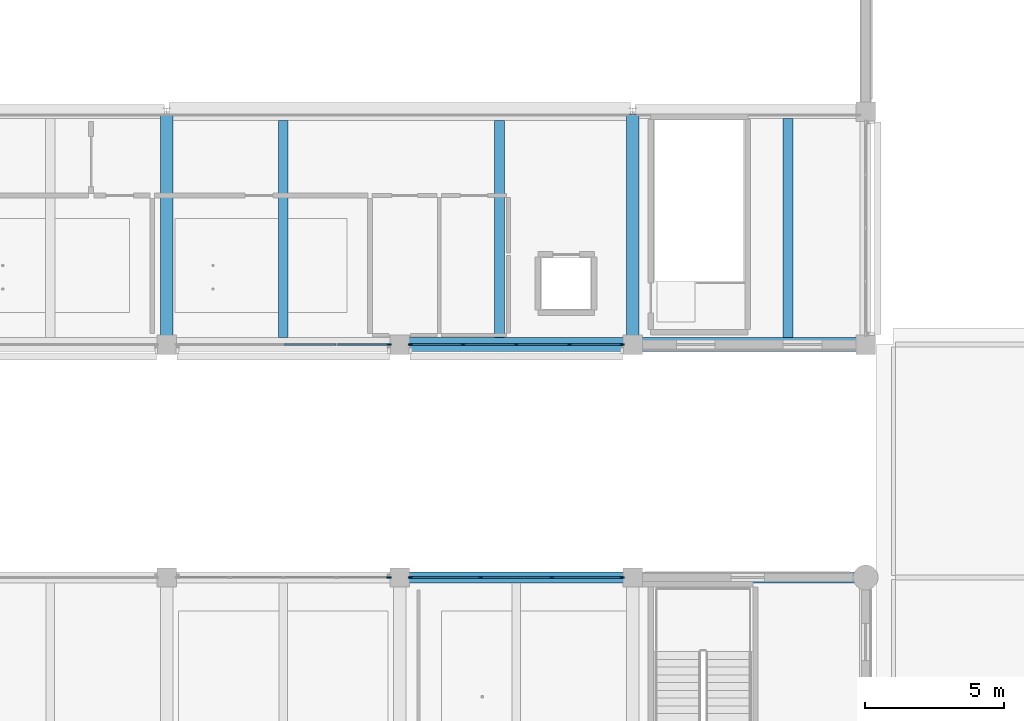
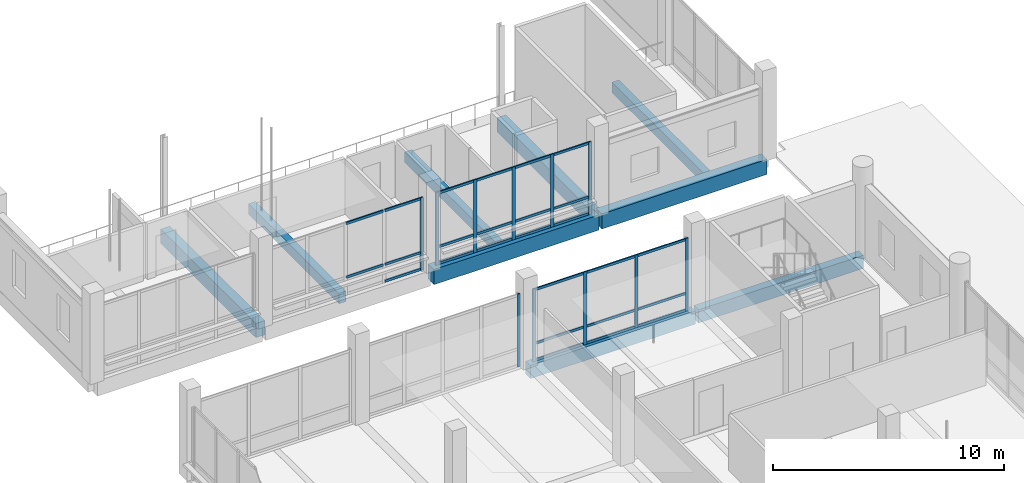
# One storey, part 30 of 128: 37 members, 9 beams, 4 elements without a shape of their own.
"""IFC4 building model written with IfcOpenShell, lengths in metres."""

from ifc_helpers import new_model, si_unit, direction, frame, origin, origin_2d, place, context, subcontext, project, spatial, rectangle, extrude, material, layer, layer_set, material_profile, profile_set, type_object, element, aggregate, save


model = new_model("IFC4")

# Units and contexts
model_context = context("Model", 3, precision=1e-05, world=origin(), true_north=direction((0.0, 1.0)))
body_context = subcontext(model_context, "Body", "Model", "MODEL_VIEW")
ifc_project = project(units=[si_unit("LENGTHUNIT", "METRE"), si_unit("AREAUNIT", "SQUARE_METRE"), si_unit("VOLUMEUNIT", "CUBIC_METRE"), si_unit("PLANEANGLEUNIT", "RADIAN"), si_unit("MASSUNIT", "GRAM", prefix="KILO")], contexts=[model_context])

# Site, building, storey
site_placement = place(None, origin())
site = spatial("IfcSite", under=ifc_project, at=site_placement, CompositionType="ELEMENT")
building_placement = place(site_placement, origin())
building = spatial("IfcBuilding", under=site, at=building_placement, Name="Telukmera Botanical Conservatory", CompositionType="ELEMENT")
storey_placement = place(building_placement, frame((0.0, 0.0, 5.39990234375)))
storey = spatial("IfcBuildingStorey", under=building, at=storey_placement, Name="L01", CompositionType="ELEMENT", Elevation=5.39990234375)

# Beams
ifc_material_1 = material(Name="Concrete C40/50", Category="concrete")
ifc_material_profile_1 = material_profile(ifc_material_1, rectangle(XDim=0.35009765625, YDim=0.550048828125, at=origin_2d()), Name="RC 350x550")
ifc_profile_set_1 = profile_set([ifc_material_profile_1], Name="Concrete C40/50")
beam_type_1 = type_object("IfcBeamType", Name="Beam_B21", PredefinedType="JOIST", material=ifc_profile_set_1)
for number, where, z_axis, x_axis, name in (
    (1, (21.0, 83.449951171875, -0.27490234375), (0.0, 1.0, 0.0), (-1.0, 0.0, 0.0), "Auditorium Balcony Joist 2"),
    (2, (28.800048828125, 83.449951171875, -0.27490234375), (0.0, 1.0, 0.0), (-1.0, 0.0, 0.0), "Auditorium Balcony Joist 3"),
):
    element("IfcBeam", number, at=place(storey_placement, frame(where, z_axis=z_axis, x_axis=x_axis)), inside=storey, type_object=beam_type_1, Name=name, PredefinedType="JOIST", context=body_context, shape_type="SweptSolid", body=[
        extrude(rectangle(XDim=0.35009765625, YDim=0.550048828125, at=origin_2d()), origin(), (0.0, 0.0, 1.0), 7.824951171875),
    ])
beam_placement = place(storey_placement, frame((39.199951171875, 83.449951171875, -0.27490234375), z_axis=(0.0, 1.0, 0.0), x_axis=(-1.0, 0.0, 0.0)))
element("IfcBeam", 3, at=beam_placement, inside=storey, type_object=beam_type_1, Name="Auditorium Balcony Joist 4", PredefinedType="JOIST", context=body_context, shape_type="SweptSolid", body=[
    extrude(rectangle(XDim=0.35009765625, YDim=0.550048828125, at=origin_2d()), origin(), (0.0, 0.0, 1.0), 7.900146484375),
])
ifc_material_profile_2 = material_profile(ifc_material_1, rectangle(XDim=0.5, YDim=0.800048828125, at=origin_2d()), Name="RC 500x800")
ifc_profile_set_2 = profile_set([ifc_material_profile_2], Name="Concrete C40/50")
beam_type_2 = type_object("IfcBeamType", Name="Beam_B5", PredefinedType="BEAM", material=ifc_profile_set_2)
for number, where, z_axis, x_axis, name in (
    (4, (25.280029296875, 83.199951171875, -0.39990234375), (1.0, 0.0, 0.0), (0.0, 1.0, 0.0), "Auditorium Frame Beam beam:V2:L01:foy_s:252"),
    (5, (33.679931640625, 83.199951171875, -0.39990234375), (1.0, 0.0, 0.0), (0.0, 1.0, 0.0), "Auditorium Frame Beam beam:V2:L01:foy_s:336"),
):
    element("IfcBeam", number, at=place(storey_placement, frame(where, z_axis=z_axis, x_axis=x_axis)), inside=storey, type_object=beam_type_2, Name=name, PredefinedType="BEAM", context=body_context, shape_type="SweptSolid", body=[
        extrude(rectangle(XDim=0.5, YDim=0.800048828125, at=origin_2d()), origin(), (0.0, 0.0, 1.0), 8.239990234375),
    ])
ifc_material_profile_3 = material_profile(ifc_material_1, rectangle(XDim=0.449951171875, YDim=0.75, at=origin_2d()), Name="RC 450x750")
ifc_profile_set_3 = profile_set([ifc_material_profile_3], Name="Concrete C40/50")
beam_type_3 = type_object("IfcBeamType", Name="Beam_B6", PredefinedType="BEAM", material=ifc_profile_set_3)
for number, where, z_axis, x_axis, name in (
    (6, (16.800048828125, 83.280029296875, -0.375), (0.0, 1.0, 0.0), (-1.0, 0.0, 0.0), "Auditorium Frame Beam beam:V2:L01:foy_y:168"),
    (7, (33.60009765625, 83.280029296875, -0.375), (0.0, 1.0, 0.0), (-1.0, 0.0, 0.0), "Auditorium Frame Beam beam:V2:L01:foy_y:336"),
):
    element("IfcBeam", number, at=place(storey_placement, frame(where, z_axis=z_axis, x_axis=x_axis)), inside=storey, type_object=beam_type_3, Name=name, PredefinedType="BEAM", context=body_context, shape_type="SweptSolid", body=[
        extrude(rectangle(XDim=0.449951171875, YDim=0.75, at=origin_2d()), origin(), (0.0, 0.0, 1.0), 8.239990234375),
    ])
ifc_material_profile_4 = material_profile(ifc_material_1, rectangle(XDim=0.39990234375, YDim=0.699951171875, at=origin_2d()), Name="RC 400x700")
ifc_profile_set_4 = profile_set([ifc_material_profile_4], Name="Concrete C40/50")
beam_type_4 = type_object("IfcBeamType", Name="Beam_B7", PredefinedType="BEAM", material=ifc_profile_set_4)
for number, where, z_axis, x_axis, name in (
    (8, (25.280029296875, 74.800048828125, -0.349853515625), (1.0, 0.0, 0.0), (0.0, 1.0, 0.0), "Visitor Wing Grid Beam L01"),
    (9, (33.679931640625, 74.800048828125, -0.349853515625), (1.0, 0.0, 0.0), (0.0, 1.0, 0.0), "Visitor Wing Grid Beam L01"),
):
    element("IfcBeam", number, at=place(storey_placement, frame(where, z_axis=z_axis, x_axis=x_axis)), inside=storey, type_object=beam_type_4, Name=name, PredefinedType="BEAM", context=body_context, shape_type="SweptSolid", body=[
        extrude(rectangle(XDim=0.39990234375, YDim=0.699951171875, at=origin_2d()), origin(), (0.0, 0.0, 1.0), 8.239990234375),
    ])

# Curtain wall, member
ifc_material_2 = material(Name="Anodised aluminium 6063-T6", Category="aluminium")
ifc_layer_1 = layer(ifc_material_2, 0.179931640625)
ifc_layer_set_1 = layer_set([ifc_layer_1], Name="Anodised aluminium 6063-T6")
curtain_wall_type_1 = type_object("IfcCurtainWallType", Name="Auditorium Upper Foyer Acoustic Curtain Wall", PredefinedType="USERDEFINED", material=ifc_layer_set_1)
curtain_wall_1_placement = place(storey_placement, origin())
curtain_wall_1 = element("IfcCurtainWall", 10, at=curtain_wall_1_placement, inside=storey, type_object=curtain_wall_type_1, Name="Unitised Curtain Wall CW05 V2:L01:S2", ObjectType="UNITISED CURTAIN WALL", PredefinedType="USERDEFINED")
ifc_material_profile_5 = material_profile(ifc_material_2, rectangle(XDim=0.06494140625, YDim=0.159912109375, at=origin_2d()), Name="ALU MULL 65x160")
ifc_profile_set_5 = profile_set([ifc_material_profile_5], Name="Anodised aluminium 6063-T6")
member_type_1 = type_object("IfcMemberType", Name="Curtain Wall Extruded Mullion 65x160", PredefinedType="MULLION", material=ifc_profile_set_5)
member_1_placement = place(storey_placement, frame((24.8154296875, 83.199951171875, 0.0), z_axis=(0.0, 0.0, 1.0), x_axis=(0.0, 1.0, 0.0)))
member_1 = element("IfcMember", 11, at=member_1_placement, type_object=member_type_1, Name="CW05 mullion 5", PredefinedType="MULLION", context=body_context, shape_type="SweptSolid", body=[
    extrude(rectangle(XDim=0.06494140625, YDim=0.159912109375, at=origin_2d()), origin(), (0.0, 0.0, 1.0), 3.85009765625),
])

# Curtain wall, members
curtain_wall_2_placement = place(storey_placement, origin())
curtain_wall_2 = element("IfcCurtainWall", 12, at=curtain_wall_2_placement, inside=storey, type_object=curtain_wall_type_1, Name="Unitised Curtain Wall CW05 V2:L01:S3", ObjectType="UNITISED CURTAIN WALL", PredefinedType="USERDEFINED")
member_2_placement = place(storey_placement, frame((25.58447265625, 83.199951171875, 0.0), z_axis=(0.0, 0.0, 1.0), x_axis=(0.0, 1.0, 0.0)))
member_2 = element("IfcMember", 13, at=member_2_placement, type_object=member_type_1, Name="CW05 mullion 1", PredefinedType="MULLION", context=body_context, shape_type="SweptSolid", body=[
    extrude(rectangle(XDim=0.06494140625, YDim=0.159912109375, at=origin_2d()), origin(), (0.0, 0.0, 1.0), 3.85009765625),
])
member_3_placement = place(storey_placement, frame((27.47607421875, 83.199951171875, 0.0), z_axis=(0.0, 0.0, 1.0), x_axis=(0.0, 1.0, 0.0)))
member_3 = element("IfcMember", 14, at=member_3_placement, type_object=member_type_1, Name="CW05 mullion 2", PredefinedType="MULLION", context=body_context, shape_type="SweptSolid", body=[
    extrude(rectangle(XDim=0.06494140625, YDim=0.159912109375, at=origin_2d()), origin(), (0.0, 0.0, 1.0), 3.85009765625),
])
member_4_placement = place(storey_placement, frame((29.39990234375, 83.199951171875, 0.0), z_axis=(0.0, 0.0, 1.0), x_axis=(0.0, 1.0, 0.0)))
member_4 = element("IfcMember", 15, at=member_4_placement, type_object=member_type_1, Name="CW05 mullion 3", PredefinedType="MULLION", context=body_context, shape_type="SweptSolid", body=[
    extrude(rectangle(XDim=0.06494140625, YDim=0.159912109375, at=origin_2d()), origin(), (0.0, 0.0, 1.0), 3.85009765625),
])
member_5_placement = place(storey_placement, frame((31.323974609375, 83.199951171875, 0.0), z_axis=(0.0, 0.0, 1.0), x_axis=(0.0, 1.0, 0.0)))
member_5 = element("IfcMember", 16, at=member_5_placement, type_object=member_type_1, Name="CW05 mullion 4", PredefinedType="MULLION", context=body_context, shape_type="SweptSolid", body=[
    extrude(rectangle(XDim=0.06494140625, YDim=0.159912109375, at=origin_2d()), origin(), (0.0, 0.0, 1.0), 3.85009765625),
])
member_6_placement = place(storey_placement, frame((33.215576171875, 83.199951171875, 0.0), z_axis=(0.0, 0.0, 1.0), x_axis=(0.0, 1.0, 0.0)))
member_6 = element("IfcMember", 17, at=member_6_placement, type_object=member_type_1, Name="CW05 mullion 5", PredefinedType="MULLION", context=body_context, shape_type="SweptSolid", body=[
    extrude(rectangle(XDim=0.06494140625, YDim=0.159912109375, at=origin_2d()), origin(), (0.0, 0.0, 1.0), 3.85009765625),
])

# Curtain wall, member
ifc_layer_2 = layer(ifc_material_2, 0.179931640625)
ifc_layer_set_2 = layer_set([ifc_layer_2], Name="Anodised aluminium 6063-T6")
curtain_wall_type_2 = type_object("IfcCurtainWallType", Name="Visitor Gallery First Floor Curtain Wall 1800 Mod", PredefinedType="USERDEFINED", material=ifc_layer_set_2)
curtain_wall_3_placement = place(storey_placement, origin())
curtain_wall_3 = element("IfcCurtainWall", 18, at=curtain_wall_3_placement, inside=storey, type_object=curtain_wall_type_2, Name="Unitised Curtain Wall CW08 V3:L01:N2", ObjectType="UNITISED CURTAIN WALL", PredefinedType="USERDEFINED")
member_7_placement = place(storey_placement, frame((24.8154296875, 74.800048828125, 0.0), z_axis=(0.0, 0.0, 1.0), x_axis=(0.0, 1.0, 0.0)))
member_7 = element("IfcMember", 19, at=member_7_placement, type_object=member_type_1, Name="CW08 mullion 5", PredefinedType="MULLION", context=body_context, shape_type="SweptSolid", body=[
    extrude(rectangle(XDim=0.06494140625, YDim=0.159912109375, at=origin_2d()), origin(), (0.0, 0.0, 1.0), 3.85009765625),
])
aggregate(curtain_wall_3, [member_7])

# Curtain wall, members
ifc_layer_3 = layer(ifc_material_2, 0.179931640625)
ifc_layer_set_3 = layer_set([ifc_layer_3], Name="Anodised aluminium 6063-T6")
curtain_wall_type_3 = type_object("IfcCurtainWallType", Name="Visitor Gallery Second Floor Curtain Wall 2400 Mod", PredefinedType="USERDEFINED", material=ifc_layer_set_3)
curtain_wall_4_placement = place(storey_placement, origin())
curtain_wall_4 = element("IfcCurtainWall", 20, at=curtain_wall_4_placement, inside=storey, type_object=curtain_wall_type_3, Name="Unitised Curtain Wall CW09 V3:L01:N3", ObjectType="UNITISED CURTAIN WALL", PredefinedType="USERDEFINED")
member_8_placement = place(storey_placement, frame((25.58447265625, 74.800048828125, 0.0), z_axis=(0.0, 0.0, 1.0), x_axis=(0.0, 1.0, 0.0)))
member_8 = element("IfcMember", 21, at=member_8_placement, type_object=member_type_1, Name="CW09 mullion 1", PredefinedType="MULLION", context=body_context, shape_type="SweptSolid", body=[
    extrude(rectangle(XDim=0.06494140625, YDim=0.159912109375, at=origin_2d()), origin(), (0.0, 0.0, 1.0), 3.85009765625),
])
member_9_placement = place(storey_placement, frame((28.117431640625, 74.800048828125, 0.0), z_axis=(0.0, 0.0, 1.0), x_axis=(0.0, 1.0, 0.0)))
member_9 = element("IfcMember", 22, at=member_9_placement, type_object=member_type_1, Name="CW09 mullion 2", PredefinedType="MULLION", context=body_context, shape_type="SweptSolid", body=[
    extrude(rectangle(XDim=0.06494140625, YDim=0.159912109375, at=origin_2d()), origin(), (0.0, 0.0, 1.0), 3.85009765625),
])
member_10_placement = place(storey_placement, frame((30.6826171875, 74.800048828125, 0.0), z_axis=(0.0, 0.0, 1.0), x_axis=(0.0, 1.0, 0.0)))
member_10 = element("IfcMember", 23, at=member_10_placement, type_object=member_type_1, Name="CW09 mullion 3", PredefinedType="MULLION", context=body_context, shape_type="SweptSolid", body=[
    extrude(rectangle(XDim=0.06494140625, YDim=0.159912109375, at=origin_2d()), origin(), (0.0, 0.0, 1.0), 3.85009765625),
])
member_11_placement = place(storey_placement, frame((33.215576171875, 74.800048828125, 0.0), z_axis=(0.0, 0.0, 1.0), x_axis=(0.0, 1.0, 0.0)))
member_11 = element("IfcMember", 24, at=member_11_placement, type_object=member_type_1, Name="CW09 mullion 4", PredefinedType="MULLION", context=body_context, shape_type="SweptSolid", body=[
    extrude(rectangle(XDim=0.06494140625, YDim=0.159912109375, at=origin_2d()), origin(), (0.0, 0.0, 1.0), 3.85009765625),
])

# Member
ifc_material_profile_6 = material_profile(ifc_material_2, rectangle(XDim=0.06494140625, YDim=0.1298828125, at=origin_2d()), Name="ALU TRAN 65x130")
ifc_profile_set_6 = profile_set([ifc_material_profile_6], Name="Anodised aluminium 6063-T6")
member_type_2 = type_object("IfcMemberType", Name="Curtain Wall Extruded Transom 65x130", PredefinedType="USERDEFINED", material=ifc_profile_set_6)
member_12_placement = place(storey_placement, frame((21.032470703125, 83.199951171875, 0.9501953125), z_axis=(1.0, 0.0, 0.0), x_axis=(0.0, 1.0, 0.0)))
member_12 = element("IfcMember", 25, at=member_12_placement, type_object=member_type_2, Name="CW05 transom 3.2", ObjectType="TRANSOM", PredefinedType="USERDEFINED", context=body_context, shape_type="SweptSolid", body=[
    extrude(rectangle(XDim=0.06494140625, YDim=0.1298828125, at=origin_2d()), origin(), (0.0, 0.0, 1.0), 1.859130859375),
])

member_13_placement = place(storey_placement, frame((21.032470703125, 83.199951171875, 3.78515625), z_axis=(1.0, 0.0, 0.0), x_axis=(0.0, 1.0, 0.0)))
member_13 = element("IfcMember", 26, at=member_13_placement, type_object=member_type_2, Name="CW05 transom 3.3", ObjectType="TRANSOM", PredefinedType="USERDEFINED", context=body_context, shape_type="SweptSolid", body=[
    extrude(rectangle(XDim=0.06494140625, YDim=0.1298828125, at=origin_2d()), origin(), (0.0, 0.0, 1.0), 1.859130859375),
])

member_14_placement = place(storey_placement, frame((22.95654296875, 83.199951171875, 0.065185546875), z_axis=(1.0, 0.0, 0.0), x_axis=(0.0, 1.0, 0.0)))
member_14 = element("IfcMember", 27, at=member_14_placement, type_object=member_type_2, Name="CW05 transom 4.1", ObjectType="TRANSOM", PredefinedType="USERDEFINED", context=body_context, shape_type="SweptSolid", body=[
    extrude(rectangle(XDim=0.06494140625, YDim=0.1298828125, at=origin_2d()), origin(), (0.0, 0.0, 1.0), 1.826416015625),
])

member_15_placement = place(storey_placement, frame((22.95654296875, 83.199951171875, 0.9501953125), z_axis=(1.0, 0.0, 0.0), x_axis=(0.0, 1.0, 0.0)))
member_15 = element("IfcMember", 28, at=member_15_placement, type_object=member_type_2, Name="CW05 transom 4.2", ObjectType="TRANSOM", PredefinedType="USERDEFINED", context=body_context, shape_type="SweptSolid", body=[
    extrude(rectangle(XDim=0.06494140625, YDim=0.1298828125, at=origin_2d()), origin(), (0.0, 0.0, 1.0), 1.826416015625),
])

member_16_placement = place(storey_placement, frame((22.95654296875, 83.199951171875, 3.78515625), z_axis=(1.0, 0.0, 0.0), x_axis=(0.0, 1.0, 0.0)))
member_16 = element("IfcMember", 29, at=member_16_placement, type_object=member_type_2, Name="CW05 transom 4.3", ObjectType="TRANSOM", PredefinedType="USERDEFINED", context=body_context, shape_type="SweptSolid", body=[
    extrude(rectangle(XDim=0.06494140625, YDim=0.1298828125, at=origin_2d()), origin(), (0.0, 0.0, 1.0), 1.826416015625),
])

aggregate(curtain_wall_1, [member_1, member_12, member_13, member_14, member_15, member_16])

member_17_placement = place(storey_placement, frame((25.616943359375, 83.199951171875, 0.065185546875), z_axis=(1.0, 0.0, 0.0), x_axis=(0.0, 1.0, 0.0)))
member_17 = element("IfcMember", 30, at=member_17_placement, type_object=member_type_2, Name="CW05 transom 1.1", ObjectType="TRANSOM", PredefinedType="USERDEFINED", context=body_context, shape_type="SweptSolid", body=[
    extrude(rectangle(XDim=0.06494140625, YDim=0.1298828125, at=origin_2d()), origin(), (0.0, 0.0, 1.0), 1.82666015625),
])

member_18_placement = place(storey_placement, frame((25.616943359375, 83.199951171875, 0.9501953125), z_axis=(1.0, 0.0, 0.0), x_axis=(0.0, 1.0, 0.0)))
member_18 = element("IfcMember", 31, at=member_18_placement, type_object=member_type_2, Name="CW05 transom 1.2", ObjectType="TRANSOM", PredefinedType="USERDEFINED", context=body_context, shape_type="SweptSolid", body=[
    extrude(rectangle(XDim=0.06494140625, YDim=0.1298828125, at=origin_2d()), origin(), (0.0, 0.0, 1.0), 1.82666015625),
])

member_19_placement = place(storey_placement, frame((25.616943359375, 83.199951171875, 3.78515625), z_axis=(1.0, 0.0, 0.0), x_axis=(0.0, 1.0, 0.0)))
member_19 = element("IfcMember", 32, at=member_19_placement, type_object=member_type_2, Name="CW05 transom 1.3", ObjectType="TRANSOM", PredefinedType="USERDEFINED", context=body_context, shape_type="SweptSolid", body=[
    extrude(rectangle(XDim=0.06494140625, YDim=0.1298828125, at=origin_2d()), origin(), (0.0, 0.0, 1.0), 1.82666015625),
])

member_20_placement = place(storey_placement, frame((27.508544921875, 83.199951171875, 0.065185546875), z_axis=(1.0, 0.0, 0.0), x_axis=(0.0, 1.0, 0.0)))
member_20 = element("IfcMember", 33, at=member_20_placement, type_object=member_type_2, Name="CW05 transom 2.1", ObjectType="TRANSOM", PredefinedType="USERDEFINED", context=body_context, shape_type="SweptSolid", body=[
    extrude(rectangle(XDim=0.06494140625, YDim=0.1298828125, at=origin_2d()), origin(), (0.0, 0.0, 1.0), 1.85888671875),
])

member_21_placement = place(storey_placement, frame((27.508544921875, 83.199951171875, 0.9501953125), z_axis=(1.0, 0.0, 0.0), x_axis=(0.0, 1.0, 0.0)))
member_21 = element("IfcMember", 34, at=member_21_placement, type_object=member_type_2, Name="CW05 transom 2.2", ObjectType="TRANSOM", PredefinedType="USERDEFINED", context=body_context, shape_type="SweptSolid", body=[
    extrude(rectangle(XDim=0.06494140625, YDim=0.1298828125, at=origin_2d()), origin(), (0.0, 0.0, 1.0), 1.85888671875),
])

member_22_placement = place(storey_placement, frame((27.508544921875, 83.199951171875, 3.78515625), z_axis=(1.0, 0.0, 0.0), x_axis=(0.0, 1.0, 0.0)))
member_22 = element("IfcMember", 35, at=member_22_placement, type_object=member_type_2, Name="CW05 transom 2.3", ObjectType="TRANSOM", PredefinedType="USERDEFINED", context=body_context, shape_type="SweptSolid", body=[
    extrude(rectangle(XDim=0.06494140625, YDim=0.1298828125, at=origin_2d()), origin(), (0.0, 0.0, 1.0), 1.85888671875),
])

member_23_placement = place(storey_placement, frame((29.4326171875, 83.199951171875, 0.065185546875), z_axis=(1.0, 0.0, 0.0), x_axis=(0.0, 1.0, 0.0)))
member_23 = element("IfcMember", 36, at=member_23_placement, type_object=member_type_2, Name="CW05 transom 3.1", ObjectType="TRANSOM", PredefinedType="USERDEFINED", context=body_context, shape_type="SweptSolid", body=[
    extrude(rectangle(XDim=0.06494140625, YDim=0.1298828125, at=origin_2d()), origin(), (0.0, 0.0, 1.0), 1.85888671875),
])

member_24_placement = place(storey_placement, frame((29.4326171875, 83.199951171875, 0.9501953125), z_axis=(1.0, 0.0, 0.0), x_axis=(0.0, 1.0, 0.0)))
member_24 = element("IfcMember", 37, at=member_24_placement, type_object=member_type_2, Name="CW05 transom 3.2", ObjectType="TRANSOM", PredefinedType="USERDEFINED", context=body_context, shape_type="SweptSolid", body=[
    extrude(rectangle(XDim=0.06494140625, YDim=0.1298828125, at=origin_2d()), origin(), (0.0, 0.0, 1.0), 1.85888671875),
])

member_25_placement = place(storey_placement, frame((29.4326171875, 83.199951171875, 3.78515625), z_axis=(1.0, 0.0, 0.0), x_axis=(0.0, 1.0, 0.0)))
member_25 = element("IfcMember", 38, at=member_25_placement, type_object=member_type_2, Name="CW05 transom 3.3", ObjectType="TRANSOM", PredefinedType="USERDEFINED", context=body_context, shape_type="SweptSolid", body=[
    extrude(rectangle(XDim=0.06494140625, YDim=0.1298828125, at=origin_2d()), origin(), (0.0, 0.0, 1.0), 1.85888671875),
])

member_26_placement = place(storey_placement, frame((31.3564453125, 83.199951171875, 0.065185546875), z_axis=(1.0, 0.0, 0.0), x_axis=(0.0, 1.0, 0.0)))
member_26 = element("IfcMember", 39, at=member_26_placement, type_object=member_type_2, Name="CW05 transom 4.1", ObjectType="TRANSOM", PredefinedType="USERDEFINED", context=body_context, shape_type="SweptSolid", body=[
    extrude(rectangle(XDim=0.06494140625, YDim=0.1298828125, at=origin_2d()), origin(), (0.0, 0.0, 1.0), 1.82666015625),
])

member_27_placement = place(storey_placement, frame((31.3564453125, 83.199951171875, 0.9501953125), z_axis=(1.0, 0.0, 0.0), x_axis=(0.0, 1.0, 0.0)))
member_27 = element("IfcMember", 40, at=member_27_placement, type_object=member_type_2, Name="CW05 transom 4.2", ObjectType="TRANSOM", PredefinedType="USERDEFINED", context=body_context, shape_type="SweptSolid", body=[
    extrude(rectangle(XDim=0.06494140625, YDim=0.1298828125, at=origin_2d()), origin(), (0.0, 0.0, 1.0), 1.82666015625),
])

member_28_placement = place(storey_placement, frame((31.3564453125, 83.199951171875, 3.78515625), z_axis=(1.0, 0.0, 0.0), x_axis=(0.0, 1.0, 0.0)))
member_28 = element("IfcMember", 41, at=member_28_placement, type_object=member_type_2, Name="CW05 transom 4.3", ObjectType="TRANSOM", PredefinedType="USERDEFINED", context=body_context, shape_type="SweptSolid", body=[
    extrude(rectangle(XDim=0.06494140625, YDim=0.1298828125, at=origin_2d()), origin(), (0.0, 0.0, 1.0), 1.82666015625),
])

aggregate(curtain_wall_2, [member_2, member_3, member_4, member_5, member_6, member_17, member_18, member_19, member_20, member_21, member_22, member_23, member_24, member_25, member_26, member_27, member_28])

member_29_placement = place(storey_placement, frame((25.616943359375, 74.800048828125, 0.065185546875), z_axis=(1.0, 0.0, 0.0), x_axis=(0.0, 1.0, 0.0)))
member_29 = element("IfcMember", 42, at=member_29_placement, type_object=member_type_2, Name="CW09 transom 1.1", ObjectType="TRANSOM", PredefinedType="USERDEFINED", context=body_context, shape_type="SweptSolid", body=[
    extrude(rectangle(XDim=0.06494140625, YDim=0.1298828125, at=origin_2d()), origin(), (0.0, 0.0, 1.0), 2.4677734375),
])

member_30_placement = place(storey_placement, frame((25.616943359375, 74.800048828125, 0.9501953125), z_axis=(1.0, 0.0, 0.0), x_axis=(0.0, 1.0, 0.0)))
member_30 = element("IfcMember", 43, at=member_30_placement, type_object=member_type_2, Name="CW09 transom 1.2", ObjectType="TRANSOM", PredefinedType="USERDEFINED", context=body_context, shape_type="SweptSolid", body=[
    extrude(rectangle(XDim=0.06494140625, YDim=0.1298828125, at=origin_2d()), origin(), (0.0, 0.0, 1.0), 2.4677734375),
])

member_31_placement = place(storey_placement, frame((25.616943359375, 74.800048828125, 3.78515625), z_axis=(1.0, 0.0, 0.0), x_axis=(0.0, 1.0, 0.0)))
member_31 = element("IfcMember", 44, at=member_31_placement, type_object=member_type_2, Name="CW09 transom 1.3", ObjectType="TRANSOM", PredefinedType="USERDEFINED", context=body_context, shape_type="SweptSolid", body=[
    extrude(rectangle(XDim=0.06494140625, YDim=0.1298828125, at=origin_2d()), origin(), (0.0, 0.0, 1.0), 2.4677734375),
])

member_32_placement = place(storey_placement, frame((28.14990234375, 74.800048828125, 0.065185546875), z_axis=(1.0, 0.0, 0.0), x_axis=(0.0, 1.0, 0.0)))
member_32 = element("IfcMember", 45, at=member_32_placement, type_object=member_type_2, Name="CW09 transom 2.1", ObjectType="TRANSOM", PredefinedType="USERDEFINED", context=body_context, shape_type="SweptSolid", body=[
    extrude(rectangle(XDim=0.06494140625, YDim=0.1298828125, at=origin_2d()), origin(), (0.0, 0.0, 1.0), 2.500244140625),
])

member_33_placement = place(storey_placement, frame((28.14990234375, 74.800048828125, 0.9501953125), z_axis=(1.0, 0.0, 0.0), x_axis=(0.0, 1.0, 0.0)))
member_33 = element("IfcMember", 46, at=member_33_placement, type_object=member_type_2, Name="CW09 transom 2.2", ObjectType="TRANSOM", PredefinedType="USERDEFINED", context=body_context, shape_type="SweptSolid", body=[
    extrude(rectangle(XDim=0.06494140625, YDim=0.1298828125, at=origin_2d()), origin(), (0.0, 0.0, 1.0), 2.500244140625),
])

member_34_placement = place(storey_placement, frame((28.14990234375, 74.800048828125, 3.78515625), z_axis=(1.0, 0.0, 0.0), x_axis=(0.0, 1.0, 0.0)))
member_34 = element("IfcMember", 47, at=member_34_placement, type_object=member_type_2, Name="CW09 transom 2.3", ObjectType="TRANSOM", PredefinedType="USERDEFINED", context=body_context, shape_type="SweptSolid", body=[
    extrude(rectangle(XDim=0.06494140625, YDim=0.1298828125, at=origin_2d()), origin(), (0.0, 0.0, 1.0), 2.500244140625),
])

member_35_placement = place(storey_placement, frame((30.715087890625, 74.800048828125, 0.065185546875), z_axis=(1.0, 0.0, 0.0), x_axis=(0.0, 1.0, 0.0)))
member_35 = element("IfcMember", 48, at=member_35_placement, type_object=member_type_2, Name="CW09 transom 3.1", ObjectType="TRANSOM", PredefinedType="USERDEFINED", context=body_context, shape_type="SweptSolid", body=[
    extrude(rectangle(XDim=0.06494140625, YDim=0.1298828125, at=origin_2d()), origin(), (0.0, 0.0, 1.0), 2.468017578125),
])

member_36_placement = place(storey_placement, frame((30.715087890625, 74.800048828125, 0.9501953125), z_axis=(1.0, 0.0, 0.0), x_axis=(0.0, 1.0, 0.0)))
member_36 = element("IfcMember", 49, at=member_36_placement, type_object=member_type_2, Name="CW09 transom 3.2", ObjectType="TRANSOM", PredefinedType="USERDEFINED", context=body_context, shape_type="SweptSolid", body=[
    extrude(rectangle(XDim=0.06494140625, YDim=0.1298828125, at=origin_2d()), origin(), (0.0, 0.0, 1.0), 2.468017578125),
])

member_37_placement = place(storey_placement, frame((30.715087890625, 74.800048828125, 3.78515625), z_axis=(1.0, 0.0, 0.0), x_axis=(0.0, 1.0, 0.0)))
member_37 = element("IfcMember", 50, at=member_37_placement, type_object=member_type_2, Name="CW09 transom 3.3", ObjectType="TRANSOM", PredefinedType="USERDEFINED", context=body_context, shape_type="SweptSolid", body=[
    extrude(rectangle(XDim=0.06494140625, YDim=0.1298828125, at=origin_2d()), origin(), (0.0, 0.0, 1.0), 2.468017578125),
])

aggregate(curtain_wall_4, [member_8, member_9, member_10, member_11, member_29, member_30, member_31, member_32, member_33, member_34, member_35, member_36, member_37])

save(model, "model.ifc")
